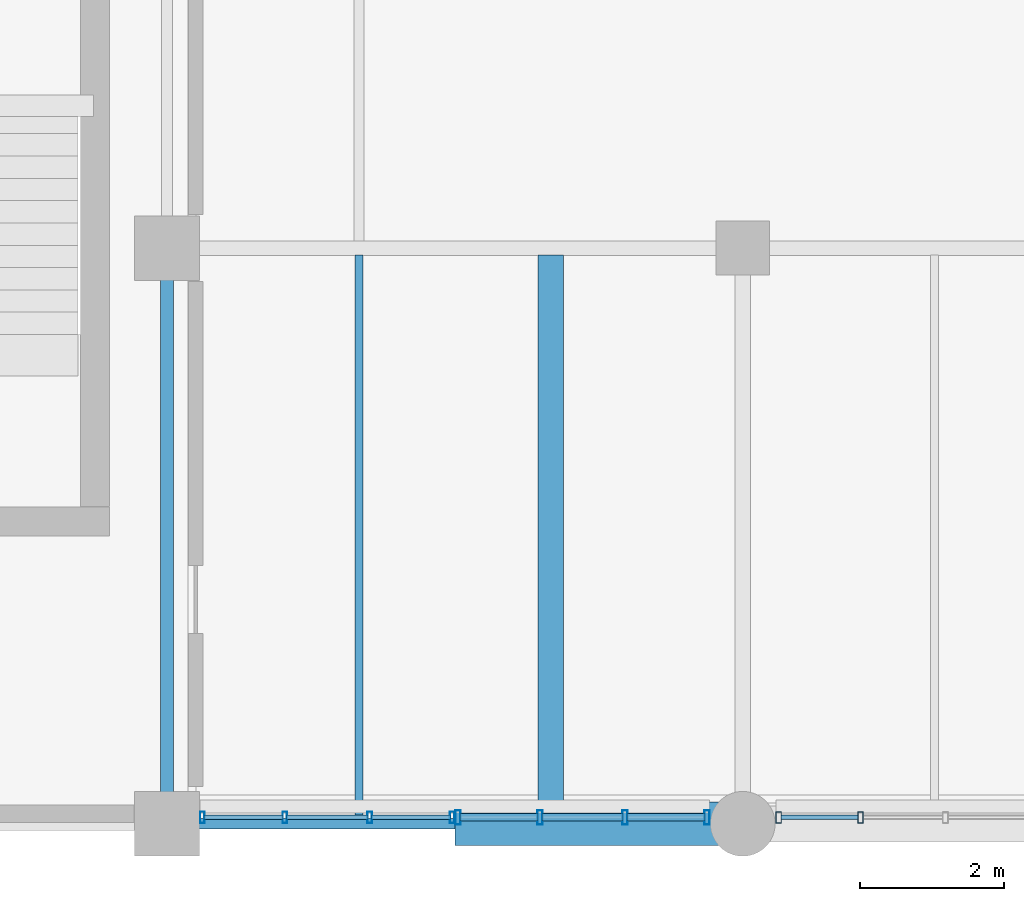
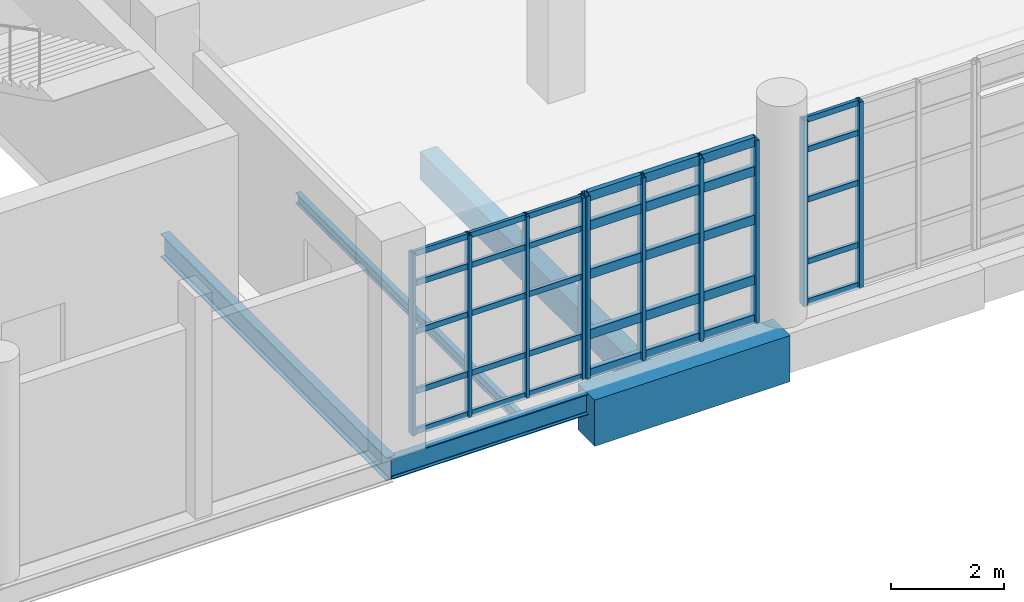
# One storey, part 19 of 127: 45 members, 5 beams, 3 elements without a shape of their own.
"""IFC4 building model written with IfcOpenShell, lengths in metres."""

from ifc_helpers import new_model, si_unit, derived_unit, direction, frame, origin, origin_2d, place, context, subcontext, project, spatial, rectangle, hollow_rectangle, i_section, extrude, material, layer, layer_set, material_profile, profile_set, type_object, element, aggregate, save


model = new_model("IFC4")

# Units and contexts
model_context = context("Model", 3, precision=1e-05, world=origin(), true_north=direction((0.0, 1.0)))
body_context = subcontext(model_context, "Body", "Model", "MODEL_VIEW")
ifc_project = project(units=[si_unit("LENGTHUNIT", "METRE"), si_unit("AREAUNIT", "SQUARE_METRE"), si_unit("VOLUMEUNIT", "CUBIC_METRE"), si_unit("PLANEANGLEUNIT", "RADIAN"), si_unit("MASSUNIT", "GRAM", prefix="KILO"), derived_unit("THERMALTRANSMITTANCEUNIT", [(si_unit("POWERUNIT", "WATT"), 1), (si_unit("LENGTHUNIT", "METRE"), -2), (si_unit("THERMODYNAMICTEMPERATUREUNIT", "KELVIN"), -1)])], contexts=[model_context])

# Site, building, storey
site_placement = place(None, origin())
site = spatial("IfcSite", under=ifc_project, at=site_placement, CompositionType="ELEMENT")
building_placement = place(site_placement, origin())
building = spatial("IfcBuilding", under=site, at=building_placement, Name="Nallur Shell Playhouse", CompositionType="ELEMENT")
storey_placement = place(building_placement, frame((0.0, 0.0, 5.39990234375)))
storey = spatial("IfcBuildingStorey", under=building, at=storey_placement, Name="L02", CompositionType="ELEMENT", Elevation=5.39990234375)

# Beams
ifc_material_1 = material(Name="Steel E250", Category="steel")
ifc_material_profile_1 = material_profile(ifc_material_1, i_section(OverallWidth=0.110107421875, OverallDepth=0.22509765625, WebThickness=0.006591796875, FlangeThickness=0.01171875, FilletRadius=0.011962890625, at=origin_2d()), Name="ISMB 225")
ifc_profile_set_1 = profile_set([ifc_material_profile_1], Name="Steel E250")
beam_type_1 = type_object("IfcBeamType", Name="BM-JST-ISMB225", PredefinedType="JOIST", material=ifc_profile_set_1)
beam_1_placement = place(storey_placement, frame((42.666748046875, 8.072998046875, -0.392333984375), z_axis=(0.0, 1.0, 0.0), x_axis=(-1.0, 0.0, 0.0)))
element("IfcBeam", 1, at=beam_1_placement, inside=storey, type_object=beam_type_1, Name="L02 secondary joist 5-A-509", PredefinedType="JOIST", context=body_context, shape_type="SweptSolid", body=[
    extrude(i_section(OverallWidth=0.110107421875, OverallDepth=0.22509765625, WebThickness=0.006591796875, FlangeThickness=0.01171875, FilletRadius=0.011962890625, at=origin_2d()), origin(), (0.0, 0.0, 1.0), 7.8291015625),
])
ifc_material_2 = material(Name="Concrete M30", Category="concrete")
ifc_material_profile_2 = material_profile(ifc_material_2, rectangle(XDim=0.35009765625, YDim=0.60009765625, at=origin_2d()), Name="RC 350x600")
ifc_profile_set_2 = profile_set([ifc_material_profile_2], Name="Concrete M30")
beam_type_2 = type_object("IfcBeamType", Name="BM-RC-350x600", PredefinedType="JOIST", material=ifc_profile_set_2)
beam_2_placement = place(storey_placement, frame((45.333251953125, 8.298095703125, -0.579833984375), z_axis=(0.0, 1.0, 0.0), x_axis=(-1.0, 0.0, 0.0)))
element("IfcBeam", 2, at=beam_2_placement, inside=storey, type_object=beam_type_2, Name="L02 secondary joist 5-A-510", PredefinedType="JOIST", context=body_context, shape_type="SweptSolid", body=[
    extrude(rectangle(XDim=0.35009765625, YDim=0.60009765625, at=origin_2d()), origin(), (0.0, 0.0, 1.0), 7.60400390625),
])
ifc_material_3 = material(Name="Concrete M40", Category="concrete")
ifc_material_profile_3 = material_profile(ifc_material_3, rectangle(XDim=0.60009765625, YDim=1.0, at=origin_2d()), Name="RC 600x1000")
ifc_profile_set_3 = profile_set([ifc_material_profile_3], Name="Concrete M40")
beam_type_3 = type_object("IfcBeamType", Name="BM-RC-600x1000", PredefinedType="BEAM", material=ifc_profile_set_3)
beam_3_placement = place(storey_placement, frame((44.0, 8.0, -0.77978515625), z_axis=(1.0, 0.0, 0.0), x_axis=(0.0, 1.0, 0.0)))
element("IfcBeam", 3, at=beam_3_placement, inside=storey, type_object=beam_type_3, Name="L02 girder X-A-316", PredefinedType="BEAM", context=body_context, shape_type="SweptSolid", body=[
    extrude(rectangle(XDim=0.60009765625, YDim=1.0, at=origin_2d()), origin(), (0.0, 0.0, 1.0), 4.0),
])
ifc_material_4 = material(Name="Steel E350", Category="steel")
ifc_material_profile_4 = material_profile(ifc_material_4, i_section(OverallWidth=0.14990234375, OverallDepth=0.449951171875, WebThickness=0.009521484375, FlangeThickness=0.017333984375, FilletRadius=0.014892578125, at=origin_2d()), Name="ISMB 450")
ifc_profile_set_4 = profile_set([ifc_material_profile_4], Name="Steel E350")
beam_type_4 = type_object("IfcBeamType", Name="BM-ST-ISMB450", PredefinedType="BEAM", material=ifc_profile_set_4)
beam_4_placement = place(storey_placement, frame((40.0, 8.0, -0.5048828125), z_axis=(1.0, 0.0, 0.0), x_axis=(0.0, 1.0, 0.0)))
element("IfcBeam", 4, at=beam_4_placement, inside=storey, type_object=beam_type_4, Name="L02 girder X-A-315", PredefinedType="BEAM", context=body_context, shape_type="SweptSolid", body=[
    extrude(i_section(OverallWidth=0.14990234375, OverallDepth=0.449951171875, WebThickness=0.009521484375, FlangeThickness=0.017333984375, FilletRadius=0.014892578125, at=origin_2d()), origin(), (0.0, 0.0, 1.0), 4.0),
])
ifc_material_profile_5 = material_profile(ifc_material_4, i_section(OverallWidth=0.179931640625, OverallDepth=0.5, WebThickness=0.01025390625, FlangeThickness=0.01708984375, FilletRadius=0.01708984375, at=origin_2d()), Name="ISMB 500")
ifc_profile_set_5 = profile_set([ifc_material_profile_5], Name="Steel E350")
beam_type_5 = type_object("IfcBeamType", Name="BM-ST-ISMB500", PredefinedType="BEAM", material=ifc_profile_set_5)
beam_5_placement = place(storey_placement, frame((40.0, 8.0, -0.52978515625), z_axis=(0.0, 1.0, 0.0), x_axis=(-1.0, 0.0, 0.0)))
element("IfcBeam", 5, at=beam_5_placement, inside=storey, type_object=beam_type_5, Name="L02 girder Y-5-410", PredefinedType="BEAM", context=body_context, shape_type="SweptSolid", body=[
    extrude(i_section(OverallWidth=0.179931640625, OverallDepth=0.5, WebThickness=0.01025390625, FlangeThickness=0.01708984375, FilletRadius=0.01708984375, at=origin_2d()), origin(), (0.0, 0.0, 1.0), 8.0),
])

# Curtain wall, members
ifc_material_5 = material(Name="Anodised Aluminium Double-Glazed Facade System", Category="aluminium")
ifc_layer_1 = layer(ifc_material_5, 0.172119140625)
ifc_layer_set_1 = layer_set([ifc_layer_1], Name="Anodised Aluminium Double-Glazed Facade System")
curtain_wall_type_1 = type_object("IfcCurtainWallType", Name="CW-UNIT-21", PredefinedType="NOTDEFINED", material=ifc_layer_set_1)
curtain_wall_1_placement = place(storey_placement, origin())
curtain_wall_1 = element("IfcCurtainWall", 6, at=curtain_wall_1_placement, inside=storey, type_object=curtain_wall_type_1, Name="Unitised curtain wall CW-053 (L02)", PredefinedType="NOTDEFINED")
ifc_material_6 = material(Name="Aluminium Alloy 6063-T6 Mullion", Category="aluminium")
ifc_material_profile_6 = material_profile(ifc_material_6, hollow_rectangle(XDim=0.080078125, YDim=0.159912109375, WallThickness=0.006103515625, at=origin_2d()), Name="RHS 160x80x6")
ifc_profile_set_6 = profile_set([ifc_material_profile_6], Name="Aluminium Alloy 6063-T6 Mullion")
member_type_1 = type_object("IfcMemberType", Name="MB-CW-MUL150", PredefinedType="MULLION", material=ifc_profile_set_6)
member_1_placement = place(storey_placement, frame((49.636962890625, 8.090087890625, -0.014892578125), z_axis=(0.0, 0.0, 1.0), x_axis=(-1.0, 0.0, 0.0)))
member_1 = element("IfcMember", 7, at=member_1_placement, type_object=member_type_1, Name="CW-21 mullion 3", PredefinedType="MULLION", context=body_context, shape_type="SweptSolid", body=[
    extrude(hollow_rectangle(XDim=0.080078125, YDim=0.159912109375, WallThickness=0.006103515625, at=origin_2d()), origin(), (0.0, 0.0, 1.0), 4.02392578125),
])
member_2_placement = place(storey_placement, frame((48.498046875, 8.090087890625, -0.014892578125), z_axis=(0.0, 0.0, 1.0), x_axis=(-1.0, 0.0, 0.0)))
member_2 = element("IfcMember", 8, at=member_2_placement, type_object=member_type_1, Name="CW-21 mullion 4", PredefinedType="MULLION", context=body_context, shape_type="SweptSolid", body=[
    extrude(hollow_rectangle(XDim=0.080078125, YDim=0.159912109375, WallThickness=0.006103515625, at=origin_2d()), origin(), (0.0, 0.0, 1.0), 4.02392578125),
])

ifc_layer_2 = layer(ifc_material_5, 0.179931640625)
ifc_layer_set_2 = layer_set([ifc_layer_2], Name="Anodised Aluminium Double-Glazed Facade System")
curtain_wall_type_2 = type_object("IfcCurtainWallType", Name="CW-UNIT-23", PredefinedType="NOTDEFINED", material=ifc_layer_set_2)
curtain_wall_2_placement = place(storey_placement, origin())
curtain_wall_2 = element("IfcCurtainWall", 9, at=curtain_wall_2_placement, inside=storey, type_object=curtain_wall_type_2, Name="Unitised curtain wall CW-055 (L02)", PredefinedType="NOTDEFINED")
ifc_material_profile_7 = material_profile(ifc_material_6, hollow_rectangle(XDim=0.06494140625, YDim=0.159912109375, WallThickness=0.00390625, at=origin_2d()), Name="ALU 65x160x4")
ifc_profile_set_7 = profile_set([ifc_material_profile_7], Name="Aluminium Alloy 6063-T6 Mullion")
member_type_2 = type_object("IfcMemberType", Name="MB-CW-MUL160", PredefinedType="MULLION", material=ifc_profile_set_7)
member_3_placement = place(storey_placement, frame((43.96240234375, 8.090087890625, -0.014892578125), z_axis=(0.0, 0.0, 1.0), x_axis=(-1.0, 0.0, 0.0)))
member_3 = element("IfcMember", 10, at=member_3_placement, type_object=member_type_2, Name="CW-23 mullion 1", PredefinedType="MULLION", context=body_context, shape_type="SweptSolid", body=[
    extrude(hollow_rectangle(XDim=0.06494140625, YDim=0.159912109375, WallThickness=0.00390625, at=origin_2d()), origin(), (0.0, 0.0, 1.0), 3.93408203125),
])
member_4_placement = place(storey_placement, frame((42.81591796875, 8.090087890625, -0.014892578125), z_axis=(0.0, 0.0, 1.0), x_axis=(-1.0, 0.0, 0.0)))
member_4 = element("IfcMember", 11, at=member_4_placement, type_object=member_type_2, Name="CW-23 mullion 2", PredefinedType="MULLION", context=body_context, shape_type="SweptSolid", body=[
    extrude(hollow_rectangle(XDim=0.06494140625, YDim=0.159912109375, WallThickness=0.00390625, at=origin_2d()), origin(), (0.0, 0.0, 1.0), 3.93408203125),
])
member_5_placement = place(storey_placement, frame((41.636962890625, 8.090087890625, -0.014892578125), z_axis=(0.0, 0.0, 1.0), x_axis=(-1.0, 0.0, 0.0)))
member_5 = element("IfcMember", 12, at=member_5_placement, type_object=member_type_2, Name="CW-23 mullion 3", PredefinedType="MULLION", context=body_context, shape_type="SweptSolid", body=[
    extrude(hollow_rectangle(XDim=0.06494140625, YDim=0.159912109375, WallThickness=0.00390625, at=origin_2d()), origin(), (0.0, 0.0, 1.0), 3.93408203125),
])
member_6_placement = place(storey_placement, frame((40.490478515625, 8.090087890625, -0.014892578125), z_axis=(0.0, 0.0, 1.0), x_axis=(-1.0, 0.0, 0.0)))
member_6 = element("IfcMember", 13, at=member_6_placement, type_object=member_type_2, Name="CW-23 mullion 4", PredefinedType="MULLION", context=body_context, shape_type="SweptSolid", body=[
    extrude(hollow_rectangle(XDim=0.06494140625, YDim=0.159912109375, WallThickness=0.00390625, at=origin_2d()), origin(), (0.0, 0.0, 1.0), 3.93408203125),
])

ifc_layer_3 = layer(ifc_material_5, 0.176025390625)
ifc_layer_set_3 = layer_set([ifc_layer_3], Name="Anodised Aluminium Double-Glazed Facade System")
curtain_wall_type_3 = type_object("IfcCurtainWallType", Name="CW-UNIT-22", PredefinedType="NOTDEFINED", material=ifc_layer_set_3)
curtain_wall_3_placement = place(storey_placement, origin())
curtain_wall_3 = element("IfcCurtainWall", 14, at=curtain_wall_3_placement, inside=storey, type_object=curtain_wall_type_3, Name="Unitised curtain wall CW-054 (L02)", PredefinedType="NOTDEFINED")
ifc_material_profile_8 = material_profile(ifc_material_6, hollow_rectangle(XDim=0.074951171875, YDim=0.199951171875, WallThickness=0.0048828125, at=origin_2d()), Name="ALU 75x200x5")
ifc_profile_set_8 = profile_set([ifc_material_profile_8], Name="Aluminium Alloy 6063-T6 Mullion")
member_type_3 = type_object("IfcMemberType", Name="MB-CW-MUL180", PredefinedType="MULLION", material=ifc_profile_set_8)
member_7_placement = place(storey_placement, frame((47.50439453125, 8.090087890625, -0.014892578125), z_axis=(0.0, 0.0, 1.0), x_axis=(-1.0, 0.0, 0.0)))
member_7 = element("IfcMember", 15, at=member_7_placement, type_object=member_type_3, Name="CW-22 mullion 1", PredefinedType="MULLION", context=body_context, shape_type="SweptSolid", body=[
    extrude(hollow_rectangle(XDim=0.074951171875, YDim=0.199951171875, WallThickness=0.0048828125, at=origin_2d()), origin(), (0.0, 0.0, 1.0), 3.9541015625),
])
member_8_placement = place(storey_placement, frame((46.363037109375, 8.090087890625, -0.014892578125), z_axis=(0.0, 0.0, 1.0), x_axis=(-1.0, 0.0, 0.0)))
member_8 = element("IfcMember", 16, at=member_8_placement, type_object=member_type_3, Name="CW-22 mullion 2", PredefinedType="MULLION", context=body_context, shape_type="SweptSolid", body=[
    extrude(hollow_rectangle(XDim=0.074951171875, YDim=0.199951171875, WallThickness=0.0048828125, at=origin_2d()), origin(), (0.0, 0.0, 1.0), 3.9541015625),
])
member_9_placement = place(storey_placement, frame((45.18408203125, 8.090087890625, -0.014892578125), z_axis=(0.0, 0.0, 1.0), x_axis=(-1.0, 0.0, 0.0)))
member_9 = element("IfcMember", 17, at=member_9_placement, type_object=member_type_3, Name="CW-22 mullion 3", PredefinedType="MULLION", context=body_context, shape_type="SweptSolid", body=[
    extrude(hollow_rectangle(XDim=0.074951171875, YDim=0.199951171875, WallThickness=0.0048828125, at=origin_2d()), origin(), (0.0, 0.0, 1.0), 3.9541015625),
])
member_10_placement = place(storey_placement, frame((44.04248046875, 8.090087890625, -0.014892578125), z_axis=(0.0, 0.0, 1.0), x_axis=(-1.0, 0.0, 0.0)))
member_10 = element("IfcMember", 18, at=member_10_placement, type_object=member_type_3, Name="CW-22 mullion 4", PredefinedType="MULLION", context=body_context, shape_type="SweptSolid", body=[
    extrude(hollow_rectangle(XDim=0.074951171875, YDim=0.199951171875, WallThickness=0.0048828125, at=origin_2d()), origin(), (0.0, 0.0, 1.0), 3.9541015625),
])

# Member
ifc_material_7 = material(Name="Aluminium Alloy 6063-T6 Transom", Category="aluminium")
ifc_material_profile_9 = material_profile(ifc_material_7, hollow_rectangle(XDim=0.06494140625, YDim=0.1201171875, WallThickness=0.00390625, at=origin_2d()), Name="ALU 65x120x4")
ifc_profile_set_9 = profile_set([ifc_material_profile_9], Name="Aluminium Alloy 6063-T6 Transom")
member_type_4 = type_object("IfcMemberType", Name="MB-CW-TRN120", PredefinedType="USERDEFINED", material=ifc_profile_set_9)
member_11_placement = place(storey_placement, frame((49.60498046875, 8.090087890625, 0.03271484375), z_axis=(-1.0, 0.0, 0.0), x_axis=(0.0, -1.0, 0.0)))
member_11 = element("IfcMember", 19, at=member_11_placement, type_object=member_type_4, Name="CW-21 transom 3.1", ObjectType="TRANSOM", PredefinedType="USERDEFINED", context=body_context, shape_type="SweptSolid", body=[
    extrude(hollow_rectangle(XDim=0.06494140625, YDim=0.1201171875, WallThickness=0.00390625, at=origin_2d()), origin(), (0.0, 0.0, 1.0), 1.074951171875),
])

member_12_placement = place(storey_placement, frame((49.60498046875, 8.090087890625, 0.900146484375), z_axis=(-1.0, 0.0, 0.0), x_axis=(0.0, -1.0, 0.0)))
member_12 = element("IfcMember", 20, at=member_12_placement, type_object=member_type_4, Name="CW-21 transom 3.2", ObjectType="TRANSOM", PredefinedType="USERDEFINED", context=body_context, shape_type="SweptSolid", body=[
    extrude(hollow_rectangle(XDim=0.06494140625, YDim=0.1201171875, WallThickness=0.00390625, at=origin_2d()), origin(), (0.0, 0.0, 1.0), 1.074951171875),
])

member_13_placement = place(storey_placement, frame((49.60498046875, 8.090087890625, 2.2431640625), z_axis=(-1.0, 0.0, 0.0), x_axis=(0.0, -1.0, 0.0)))
member_13 = element("IfcMember", 21, at=member_13_placement, type_object=member_type_4, Name="CW-21 transom 3.3", ObjectType="TRANSOM", PredefinedType="USERDEFINED", context=body_context, shape_type="SweptSolid", body=[
    extrude(hollow_rectangle(XDim=0.06494140625, YDim=0.1201171875, WallThickness=0.00390625, at=origin_2d()), origin(), (0.0, 0.0, 1.0), 1.074951171875),
])

member_14_placement = place(storey_placement, frame((49.60498046875, 8.090087890625, 3.3251953125), z_axis=(-1.0, 0.0, 0.0), x_axis=(0.0, -1.0, 0.0)))
member_14 = element("IfcMember", 22, at=member_14_placement, type_object=member_type_4, Name="CW-21 transom 3.4", ObjectType="TRANSOM", PredefinedType="USERDEFINED", context=body_context, shape_type="SweptSolid", body=[
    extrude(hollow_rectangle(XDim=0.06494140625, YDim=0.1201171875, WallThickness=0.00390625, at=origin_2d()), origin(), (0.0, 0.0, 1.0), 1.074951171875),
])

member_15_placement = place(storey_placement, frame((49.60498046875, 8.090087890625, 3.97265625), z_axis=(-1.0, 0.0, 0.0), x_axis=(0.0, -1.0, 0.0)))
member_15 = element("IfcMember", 23, at=member_15_placement, type_object=member_type_4, Name="CW-21 transom 3.5", ObjectType="TRANSOM", PredefinedType="USERDEFINED", context=body_context, shape_type="SweptSolid", body=[
    extrude(hollow_rectangle(XDim=0.06494140625, YDim=0.1201171875, WallThickness=0.00390625, at=origin_2d()), origin(), (0.0, 0.0, 1.0), 1.074951171875),
])

aggregate(curtain_wall_1, [member_1, member_2, member_11, member_12, member_13, member_14, member_15])

member_16_placement = place(storey_placement, frame((43.93798828125, 8.090087890625, 0.03271484375), z_axis=(-1.0, 0.0, 0.0), x_axis=(0.0, -1.0, 0.0)))
member_16 = element("IfcMember", 24, at=member_16_placement, type_object=member_type_4, Name="CW-23 transom 1.1", ObjectType="TRANSOM", PredefinedType="USERDEFINED", context=body_context, shape_type="SweptSolid", body=[
    extrude(hollow_rectangle(XDim=0.06494140625, YDim=0.1201171875, WallThickness=0.00390625, at=origin_2d()), origin(), (0.0, 0.0, 1.0), 1.097412109375),
])

member_17_placement = place(storey_placement, frame((43.93798828125, 8.090087890625, 0.900146484375), z_axis=(-1.0, 0.0, 0.0), x_axis=(0.0, -1.0, 0.0)))
member_17 = element("IfcMember", 25, at=member_17_placement, type_object=member_type_4, Name="CW-23 transom 1.2", ObjectType="TRANSOM", PredefinedType="USERDEFINED", context=body_context, shape_type="SweptSolid", body=[
    extrude(hollow_rectangle(XDim=0.06494140625, YDim=0.1201171875, WallThickness=0.00390625, at=origin_2d()), origin(), (0.0, 0.0, 1.0), 1.097412109375),
])

member_18_placement = place(storey_placement, frame((43.93798828125, 8.090087890625, 2.192138671875), z_axis=(-1.0, 0.0, 0.0), x_axis=(0.0, -1.0, 0.0)))
member_18 = element("IfcMember", 26, at=member_18_placement, type_object=member_type_4, Name="CW-23 transom 1.3", ObjectType="TRANSOM", PredefinedType="USERDEFINED", context=body_context, shape_type="SweptSolid", body=[
    extrude(hollow_rectangle(XDim=0.06494140625, YDim=0.1201171875, WallThickness=0.00390625, at=origin_2d()), origin(), (0.0, 0.0, 1.0), 1.097412109375),
])

member_19_placement = place(storey_placement, frame((43.93798828125, 8.090087890625, 3.235107421875), z_axis=(-1.0, 0.0, 0.0), x_axis=(0.0, -1.0, 0.0)))
member_19 = element("IfcMember", 27, at=member_19_placement, type_object=member_type_4, Name="CW-23 transom 1.4", ObjectType="TRANSOM", PredefinedType="USERDEFINED", context=body_context, shape_type="SweptSolid", body=[
    extrude(hollow_rectangle(XDim=0.06494140625, YDim=0.1201171875, WallThickness=0.00390625, at=origin_2d()), origin(), (0.0, 0.0, 1.0), 1.097412109375),
])

member_20_placement = place(storey_placement, frame((43.93798828125, 8.090087890625, 3.882568359375), z_axis=(-1.0, 0.0, 0.0), x_axis=(0.0, -1.0, 0.0)))
member_20 = element("IfcMember", 28, at=member_20_placement, type_object=member_type_4, Name="CW-23 transom 1.5", ObjectType="TRANSOM", PredefinedType="USERDEFINED", context=body_context, shape_type="SweptSolid", body=[
    extrude(hollow_rectangle(XDim=0.06494140625, YDim=0.1201171875, WallThickness=0.00390625, at=origin_2d()), origin(), (0.0, 0.0, 1.0), 1.097412109375),
])

member_21_placement = place(storey_placement, frame((42.79150390625, 8.090087890625, 0.03271484375), z_axis=(-1.0, 0.0, 0.0), x_axis=(0.0, -1.0, 0.0)))
member_21 = element("IfcMember", 29, at=member_21_placement, type_object=member_type_4, Name="CW-23 transom 2.1", ObjectType="TRANSOM", PredefinedType="USERDEFINED", context=body_context, shape_type="SweptSolid", body=[
    extrude(hollow_rectangle(XDim=0.06494140625, YDim=0.1201171875, WallThickness=0.00390625, at=origin_2d()), origin(), (0.0, 0.0, 1.0), 1.1298828125),
])

member_22_placement = place(storey_placement, frame((42.79150390625, 8.090087890625, 0.900146484375), z_axis=(-1.0, 0.0, 0.0), x_axis=(0.0, -1.0, 0.0)))
member_22 = element("IfcMember", 30, at=member_22_placement, type_object=member_type_4, Name="CW-23 transom 2.2", ObjectType="TRANSOM", PredefinedType="USERDEFINED", context=body_context, shape_type="SweptSolid", body=[
    extrude(hollow_rectangle(XDim=0.06494140625, YDim=0.1201171875, WallThickness=0.00390625, at=origin_2d()), origin(), (0.0, 0.0, 1.0), 1.1298828125),
])

member_23_placement = place(storey_placement, frame((42.79150390625, 8.090087890625, 2.192138671875), z_axis=(-1.0, 0.0, 0.0), x_axis=(0.0, -1.0, 0.0)))
member_23 = element("IfcMember", 31, at=member_23_placement, type_object=member_type_4, Name="CW-23 transom 2.3", ObjectType="TRANSOM", PredefinedType="USERDEFINED", context=body_context, shape_type="SweptSolid", body=[
    extrude(hollow_rectangle(XDim=0.06494140625, YDim=0.1201171875, WallThickness=0.00390625, at=origin_2d()), origin(), (0.0, 0.0, 1.0), 1.1298828125),
])

member_24_placement = place(storey_placement, frame((42.79150390625, 8.090087890625, 3.235107421875), z_axis=(-1.0, 0.0, 0.0), x_axis=(0.0, -1.0, 0.0)))
member_24 = element("IfcMember", 32, at=member_24_placement, type_object=member_type_4, Name="CW-23 transom 2.4", ObjectType="TRANSOM", PredefinedType="USERDEFINED", context=body_context, shape_type="SweptSolid", body=[
    extrude(hollow_rectangle(XDim=0.06494140625, YDim=0.1201171875, WallThickness=0.00390625, at=origin_2d()), origin(), (0.0, 0.0, 1.0), 1.1298828125),
])

member_25_placement = place(storey_placement, frame((42.79150390625, 8.090087890625, 3.882568359375), z_axis=(-1.0, 0.0, 0.0), x_axis=(0.0, -1.0, 0.0)))
member_25 = element("IfcMember", 33, at=member_25_placement, type_object=member_type_4, Name="CW-23 transom 2.5", ObjectType="TRANSOM", PredefinedType="USERDEFINED", context=body_context, shape_type="SweptSolid", body=[
    extrude(hollow_rectangle(XDim=0.06494140625, YDim=0.1201171875, WallThickness=0.00390625, at=origin_2d()), origin(), (0.0, 0.0, 1.0), 1.1298828125),
])

member_26_placement = place(storey_placement, frame((41.612548828125, 8.090087890625, 0.03271484375), z_axis=(-1.0, 0.0, 0.0), x_axis=(0.0, -1.0, 0.0)))
member_26 = element("IfcMember", 34, at=member_26_placement, type_object=member_type_4, Name="CW-23 transom 3.1", ObjectType="TRANSOM", PredefinedType="USERDEFINED", context=body_context, shape_type="SweptSolid", body=[
    extrude(hollow_rectangle(XDim=0.06494140625, YDim=0.1201171875, WallThickness=0.00390625, at=origin_2d()), origin(), (0.0, 0.0, 1.0), 1.09765625),
])

member_27_placement = place(storey_placement, frame((41.612548828125, 8.090087890625, 0.900146484375), z_axis=(-1.0, 0.0, 0.0), x_axis=(0.0, -1.0, 0.0)))
member_27 = element("IfcMember", 35, at=member_27_placement, type_object=member_type_4, Name="CW-23 transom 3.2", ObjectType="TRANSOM", PredefinedType="USERDEFINED", context=body_context, shape_type="SweptSolid", body=[
    extrude(hollow_rectangle(XDim=0.06494140625, YDim=0.1201171875, WallThickness=0.00390625, at=origin_2d()), origin(), (0.0, 0.0, 1.0), 1.09765625),
])

member_28_placement = place(storey_placement, frame((41.612548828125, 8.090087890625, 2.192138671875), z_axis=(-1.0, 0.0, 0.0), x_axis=(0.0, -1.0, 0.0)))
member_28 = element("IfcMember", 36, at=member_28_placement, type_object=member_type_4, Name="CW-23 transom 3.3", ObjectType="TRANSOM", PredefinedType="USERDEFINED", context=body_context, shape_type="SweptSolid", body=[
    extrude(hollow_rectangle(XDim=0.06494140625, YDim=0.1201171875, WallThickness=0.00390625, at=origin_2d()), origin(), (0.0, 0.0, 1.0), 1.09765625),
])

member_29_placement = place(storey_placement, frame((41.612548828125, 8.090087890625, 3.235107421875), z_axis=(-1.0, 0.0, 0.0), x_axis=(0.0, -1.0, 0.0)))
member_29 = element("IfcMember", 37, at=member_29_placement, type_object=member_type_4, Name="CW-23 transom 3.4", ObjectType="TRANSOM", PredefinedType="USERDEFINED", context=body_context, shape_type="SweptSolid", body=[
    extrude(hollow_rectangle(XDim=0.06494140625, YDim=0.1201171875, WallThickness=0.00390625, at=origin_2d()), origin(), (0.0, 0.0, 1.0), 1.09765625),
])

member_30_placement = place(storey_placement, frame((41.612548828125, 8.090087890625, 3.882568359375), z_axis=(-1.0, 0.0, 0.0), x_axis=(0.0, -1.0, 0.0)))
member_30 = element("IfcMember", 38, at=member_30_placement, type_object=member_type_4, Name="CW-23 transom 3.5", ObjectType="TRANSOM", PredefinedType="USERDEFINED", context=body_context, shape_type="SweptSolid", body=[
    extrude(hollow_rectangle(XDim=0.06494140625, YDim=0.1201171875, WallThickness=0.00390625, at=origin_2d()), origin(), (0.0, 0.0, 1.0), 1.09765625),
])

aggregate(curtain_wall_2, [member_3, member_4, member_5, member_6, member_16, member_17, member_18, member_19, member_20, member_21, member_22, member_23, member_24, member_25, member_26, member_27, member_28, member_29, member_30])

ifc_material_profile_10 = material_profile(ifc_material_7, hollow_rectangle(XDim=0.10009765625, YDim=0.199951171875, WallThickness=0.008056640625, at=origin_2d()), Name="RHS 200x100x8")
ifc_profile_set_10 = profile_set([ifc_material_profile_10], Name="Aluminium Alloy 6063-T6 Transom")
member_type_5 = type_object("IfcMemberType", Name="MB-CW-TRN140", PredefinedType="USERDEFINED", material=ifc_profile_set_10)
member_31_placement = place(storey_placement, frame((47.47509765625, 8.090087890625, 0.050048828125), z_axis=(-1.0, 0.0, 0.0), x_axis=(0.0, -1.0, 0.0)))
member_31 = element("IfcMember", 39, at=member_31_placement, type_object=member_type_5, Name="CW-22 transom 1.1", ObjectType="TRANSOM", PredefinedType="USERDEFINED", context=body_context, shape_type="SweptSolid", body=[
    extrude(hollow_rectangle(XDim=0.10009765625, YDim=0.199951171875, WallThickness=0.008056640625, at=origin_2d()), origin(), (0.0, 0.0, 1.0), 1.08251953125),
])

member_32_placement = place(storey_placement, frame((47.47509765625, 8.090087890625, 0.900146484375), z_axis=(-1.0, 0.0, 0.0), x_axis=(0.0, -1.0, 0.0)))
member_32 = element("IfcMember", 40, at=member_32_placement, type_object=member_type_5, Name="CW-22 transom 1.2", ObjectType="TRANSOM", PredefinedType="USERDEFINED", context=body_context, shape_type="SweptSolid", body=[
    extrude(hollow_rectangle(XDim=0.10009765625, YDim=0.199951171875, WallThickness=0.008056640625, at=origin_2d()), origin(), (0.0, 0.0, 1.0), 1.08251953125),
])

member_33_placement = place(storey_placement, frame((47.47509765625, 8.090087890625, 2.2041015625), z_axis=(-1.0, 0.0, 0.0), x_axis=(0.0, -1.0, 0.0)))
member_33 = element("IfcMember", 41, at=member_33_placement, type_object=member_type_5, Name="CW-22 transom 1.3", ObjectType="TRANSOM", PredefinedType="USERDEFINED", context=body_context, shape_type="SweptSolid", body=[
    extrude(hollow_rectangle(XDim=0.10009765625, YDim=0.199951171875, WallThickness=0.008056640625, at=origin_2d()), origin(), (0.0, 0.0, 1.0), 1.08251953125),
])

member_34_placement = place(storey_placement, frame((47.47509765625, 8.090087890625, 3.255126953125), z_axis=(-1.0, 0.0, 0.0), x_axis=(0.0, -1.0, 0.0)))
member_34 = element("IfcMember", 42, at=member_34_placement, type_object=member_type_5, Name="CW-22 transom 1.4", ObjectType="TRANSOM", PredefinedType="USERDEFINED", context=body_context, shape_type="SweptSolid", body=[
    extrude(hollow_rectangle(XDim=0.10009765625, YDim=0.199951171875, WallThickness=0.008056640625, at=origin_2d()), origin(), (0.0, 0.0, 1.0), 1.08251953125),
])

member_35_placement = place(storey_placement, frame((47.47509765625, 8.090087890625, 3.885009765625), z_axis=(-1.0, 0.0, 0.0), x_axis=(0.0, -1.0, 0.0)))
member_35 = element("IfcMember", 43, at=member_35_placement, type_object=member_type_5, Name="CW-22 transom 1.5", ObjectType="TRANSOM", PredefinedType="USERDEFINED", context=body_context, shape_type="SweptSolid", body=[
    extrude(hollow_rectangle(XDim=0.10009765625, YDim=0.199951171875, WallThickness=0.008056640625, at=origin_2d()), origin(), (0.0, 0.0, 1.0), 1.08251953125),
])

member_36_placement = place(storey_placement, frame((46.33349609375, 8.090087890625, 0.050048828125), z_axis=(-1.0, 0.0, 0.0), x_axis=(0.0, -1.0, 0.0)))
member_36 = element("IfcMember", 44, at=member_36_placement, type_object=member_type_5, Name="CW-22 transom 2.1", ObjectType="TRANSOM", PredefinedType="USERDEFINED", context=body_context, shape_type="SweptSolid", body=[
    extrude(hollow_rectangle(XDim=0.10009765625, YDim=0.199951171875, WallThickness=0.008056640625, at=origin_2d()), origin(), (0.0, 0.0, 1.0), 1.1201171875),
])

member_37_placement = place(storey_placement, frame((46.33349609375, 8.090087890625, 0.900146484375), z_axis=(-1.0, 0.0, 0.0), x_axis=(0.0, -1.0, 0.0)))
member_37 = element("IfcMember", 45, at=member_37_placement, type_object=member_type_5, Name="CW-22 transom 2.2", ObjectType="TRANSOM", PredefinedType="USERDEFINED", context=body_context, shape_type="SweptSolid", body=[
    extrude(hollow_rectangle(XDim=0.10009765625, YDim=0.199951171875, WallThickness=0.008056640625, at=origin_2d()), origin(), (0.0, 0.0, 1.0), 1.1201171875),
])

member_38_placement = place(storey_placement, frame((46.33349609375, 8.090087890625, 2.2041015625), z_axis=(-1.0, 0.0, 0.0), x_axis=(0.0, -1.0, 0.0)))
member_38 = element("IfcMember", 46, at=member_38_placement, type_object=member_type_5, Name="CW-22 transom 2.3", ObjectType="TRANSOM", PredefinedType="USERDEFINED", context=body_context, shape_type="SweptSolid", body=[
    extrude(hollow_rectangle(XDim=0.10009765625, YDim=0.199951171875, WallThickness=0.008056640625, at=origin_2d()), origin(), (0.0, 0.0, 1.0), 1.1201171875),
])

member_39_placement = place(storey_placement, frame((46.33349609375, 8.090087890625, 3.255126953125), z_axis=(-1.0, 0.0, 0.0), x_axis=(0.0, -1.0, 0.0)))
member_39 = element("IfcMember", 47, at=member_39_placement, type_object=member_type_5, Name="CW-22 transom 2.4", ObjectType="TRANSOM", PredefinedType="USERDEFINED", context=body_context, shape_type="SweptSolid", body=[
    extrude(hollow_rectangle(XDim=0.10009765625, YDim=0.199951171875, WallThickness=0.008056640625, at=origin_2d()), origin(), (0.0, 0.0, 1.0), 1.1201171875),
])

member_40_placement = place(storey_placement, frame((46.33349609375, 8.090087890625, 3.885009765625), z_axis=(-1.0, 0.0, 0.0), x_axis=(0.0, -1.0, 0.0)))
member_40 = element("IfcMember", 48, at=member_40_placement, type_object=member_type_5, Name="CW-22 transom 2.5", ObjectType="TRANSOM", PredefinedType="USERDEFINED", context=body_context, shape_type="SweptSolid", body=[
    extrude(hollow_rectangle(XDim=0.10009765625, YDim=0.199951171875, WallThickness=0.008056640625, at=origin_2d()), origin(), (0.0, 0.0, 1.0), 1.1201171875),
])

member_41_placement = place(storey_placement, frame((45.154541015625, 8.090087890625, 0.050048828125), z_axis=(-1.0, 0.0, 0.0), x_axis=(0.0, -1.0, 0.0)))
member_41 = element("IfcMember", 49, at=member_41_placement, type_object=member_type_5, Name="CW-22 transom 3.1", ObjectType="TRANSOM", PredefinedType="USERDEFINED", context=body_context, shape_type="SweptSolid", body=[
    extrude(hollow_rectangle(XDim=0.10009765625, YDim=0.199951171875, WallThickness=0.008056640625, at=origin_2d()), origin(), (0.0, 0.0, 1.0), 1.08251953125),
])

member_42_placement = place(storey_placement, frame((45.154541015625, 8.090087890625, 0.900146484375), z_axis=(-1.0, 0.0, 0.0), x_axis=(0.0, -1.0, 0.0)))
member_42 = element("IfcMember", 50, at=member_42_placement, type_object=member_type_5, Name="CW-22 transom 3.2", ObjectType="TRANSOM", PredefinedType="USERDEFINED", context=body_context, shape_type="SweptSolid", body=[
    extrude(hollow_rectangle(XDim=0.10009765625, YDim=0.199951171875, WallThickness=0.008056640625, at=origin_2d()), origin(), (0.0, 0.0, 1.0), 1.08251953125),
])

member_43_placement = place(storey_placement, frame((45.154541015625, 8.090087890625, 2.2041015625), z_axis=(-1.0, 0.0, 0.0), x_axis=(0.0, -1.0, 0.0)))
member_43 = element("IfcMember", 51, at=member_43_placement, type_object=member_type_5, Name="CW-22 transom 3.3", ObjectType="TRANSOM", PredefinedType="USERDEFINED", context=body_context, shape_type="SweptSolid", body=[
    extrude(hollow_rectangle(XDim=0.10009765625, YDim=0.199951171875, WallThickness=0.008056640625, at=origin_2d()), origin(), (0.0, 0.0, 1.0), 1.08251953125),
])

member_44_placement = place(storey_placement, frame((45.154541015625, 8.090087890625, 3.255126953125), z_axis=(-1.0, 0.0, 0.0), x_axis=(0.0, -1.0, 0.0)))
member_44 = element("IfcMember", 52, at=member_44_placement, type_object=member_type_5, Name="CW-22 transom 3.4", ObjectType="TRANSOM", PredefinedType="USERDEFINED", context=body_context, shape_type="SweptSolid", body=[
    extrude(hollow_rectangle(XDim=0.10009765625, YDim=0.199951171875, WallThickness=0.008056640625, at=origin_2d()), origin(), (0.0, 0.0, 1.0), 1.08251953125),
])

member_45_placement = place(storey_placement, frame((45.154541015625, 8.090087890625, 3.885009765625), z_axis=(-1.0, 0.0, 0.0), x_axis=(0.0, -1.0, 0.0)))
member_45 = element("IfcMember", 53, at=member_45_placement, type_object=member_type_5, Name="CW-22 transom 3.5", ObjectType="TRANSOM", PredefinedType="USERDEFINED", context=body_context, shape_type="SweptSolid", body=[
    extrude(hollow_rectangle(XDim=0.10009765625, YDim=0.199951171875, WallThickness=0.008056640625, at=origin_2d()), origin(), (0.0, 0.0, 1.0), 1.08251953125),
])

aggregate(curtain_wall_3, [member_7, member_8, member_9, member_10, member_31, member_32, member_33, member_34, member_35, member_36, member_37, member_38, member_39, member_40, member_41, member_42, member_43, member_44, member_45])

save(model, "model.ifc")
